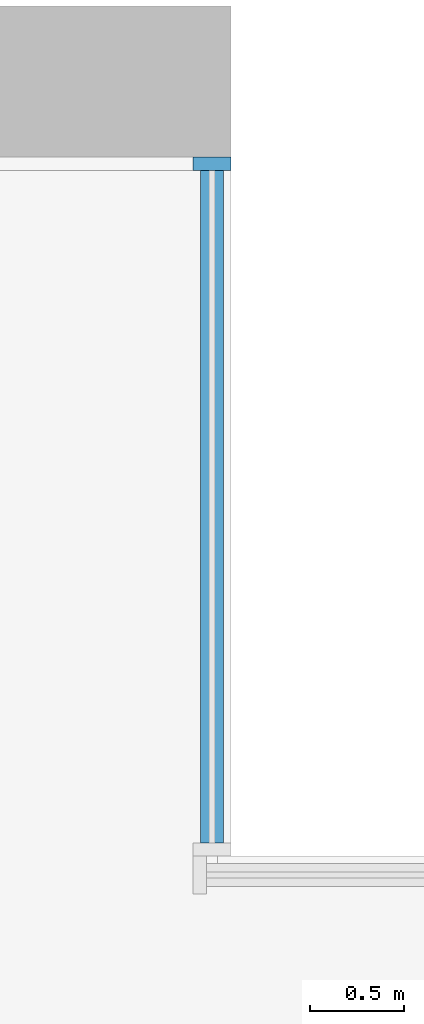
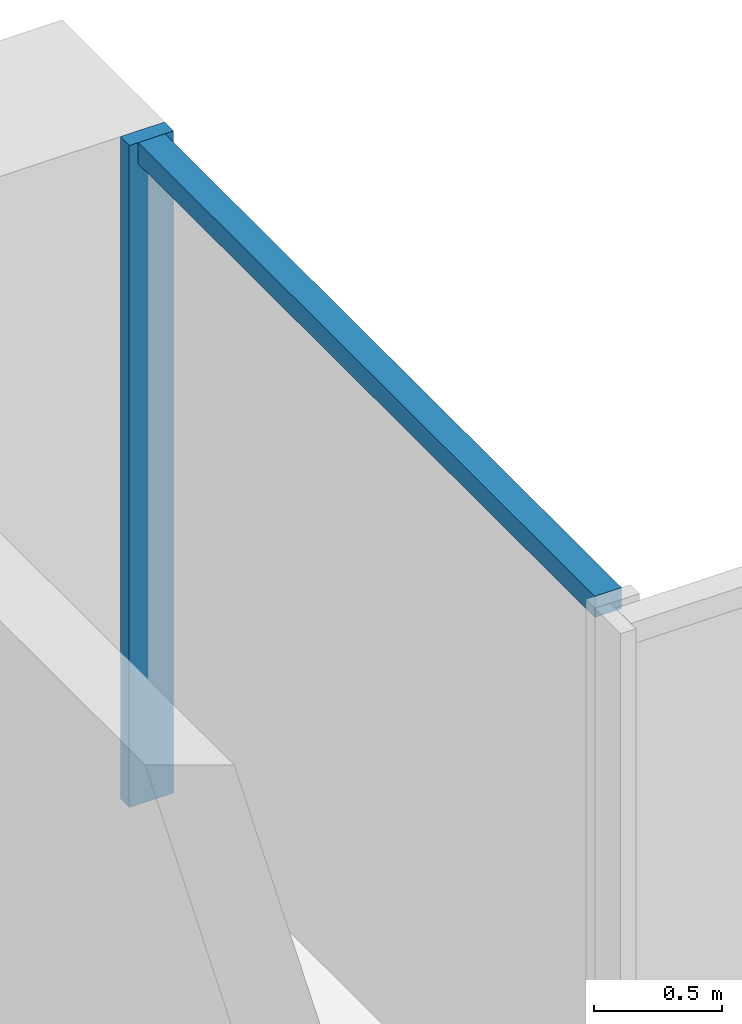
# One storey, part 6 of 15: 2 members, 1 element without a shape of its own.
"""IFC4 building model written with IfcOpenShell, lengths in metres."""

from ifc_helpers import new_model, si_unit, direction, frame, origin, origin_2d, place, context, subcontext, project, spatial, rectangle, extrude, material, material_profile, profile_set, type_object, element, aggregate, save


model = new_model("IFC4")

# Units and contexts
model_context = context("Model", 3, precision=1e-05, world=origin(), true_north=direction((0.0, 1.0)))
body_context = subcontext(model_context, "Body", "Model", "MODEL_VIEW")
ifc_project = project(units=[si_unit("LENGTHUNIT", "METRE"), si_unit("AREAUNIT", "SQUARE_METRE"), si_unit("VOLUMEUNIT", "CUBIC_METRE"), si_unit("PLANEANGLEUNIT", "RADIAN"), si_unit("MASSUNIT", "GRAM", prefix="KILO")], contexts=[model_context])

# Site, building, storey
site_placement = place(None, origin())
site = spatial("IfcSite", under=ifc_project, at=site_placement, CompositionType="ELEMENT")
building_placement = place(site_placement, origin())
building = spatial("IfcBuilding", under=site, at=building_placement, Name="Calvaro Tower", CompositionType="ELEMENT")
storey_placement = place(building_placement, frame((0.0, 0.0, 155.0)))
storey = spatial("IfcBuildingStorey", under=building, at=storey_placement, Name="L39", CompositionType="ELEMENT", Elevation=155.0)

# Curtain wall, members
ifc_material_1 = material(Name="Anodised aluminium", Category="aluminium")
curtain_wall_type = type_object("IfcCurtainWallType", Name="Office curtain wall, middle zone", PredefinedType="NOTDEFINED", material=ifc_material_1)
curtain_wall_placement = place(storey_placement, origin())
curtain_wall = element("IfcCurtainWall", 1, at=curtain_wall_placement, inside=storey, type_object=curtain_wall_type, Name="CW2 corner curtain wall", PredefinedType="NOTDEFINED")
ifc_material_2 = material(Name="Anodised aluminium", Category="aluminium")
ifc_material_profile_1 = material_profile(ifc_material_2, rectangle(XDim=0.199951171875, YDim=0.070068359375, at=origin_2d()), Name="Mullion S2 70 x 200")
ifc_profile_set_1 = profile_set([ifc_material_profile_1], Name="Anodised aluminium")
member_type_1 = type_object("IfcMemberType", Name="Mullion S2 70 x 200", PredefinedType="MULLION", material=ifc_profile_set_1)
member_1_placement = place(storey_placement, frame((66.35009765625, 45.1650390625, 0.0), z_axis=(0.0, 0.0, 1.0), x_axis=(-1.0, 0.0, 0.0)))
member_1 = element("IfcMember", 2, at=member_1_placement, type_object=member_type_1, Name="CW2 mullion 2", PredefinedType="MULLION", context=body_context, shape_type="SweptSolid", body=[
    extrude(rectangle(XDim=0.199951171875, YDim=0.070068359375, at=origin_2d()), origin(), (0.0, 0.0, 1.0), 3.14990234375),
])
ifc_material_3 = material(Name="Anodised aluminium", Category="aluminium")
ifc_material_profile_2 = material_profile(ifc_material_3, rectangle(XDim=0.1201171875, YDim=0.10009765625, at=origin_2d()), Name="Transom S2 100 x 120")
ifc_profile_set_2 = profile_set([ifc_material_profile_2], Name="Anodised aluminium")
member_type_2 = type_object("IfcMemberType", Name="Transom S2 100 x 120", PredefinedType="USERDEFINED", material=ifc_profile_set_2)
member_2_placement = place(storey_placement, frame((66.35009765625, 41.570068359375, 3.10009765625), z_axis=(0.0, 1.0, 0.0), x_axis=(-1.0, 0.0, 0.0)))
member_2 = element("IfcMember", 3, at=member_2_placement, type_object=member_type_2, Name="CW2 transom 1.1", ObjectType="TRANSOM", PredefinedType="USERDEFINED", context=body_context, shape_type="SweptSolid", body=[
    extrude(rectangle(XDim=0.1201171875, YDim=0.10009765625, at=origin_2d()), origin(), (0.0, 0.0, 1.0), 3.559814453125),
])
aggregate(curtain_wall, [member_1, member_2])

save(model, "model.ifc")
